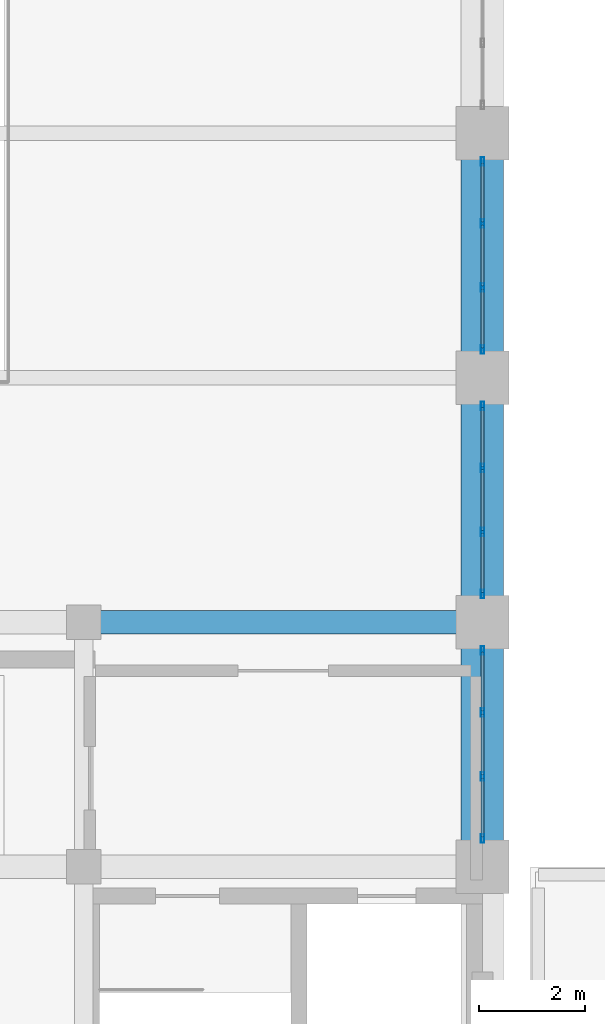
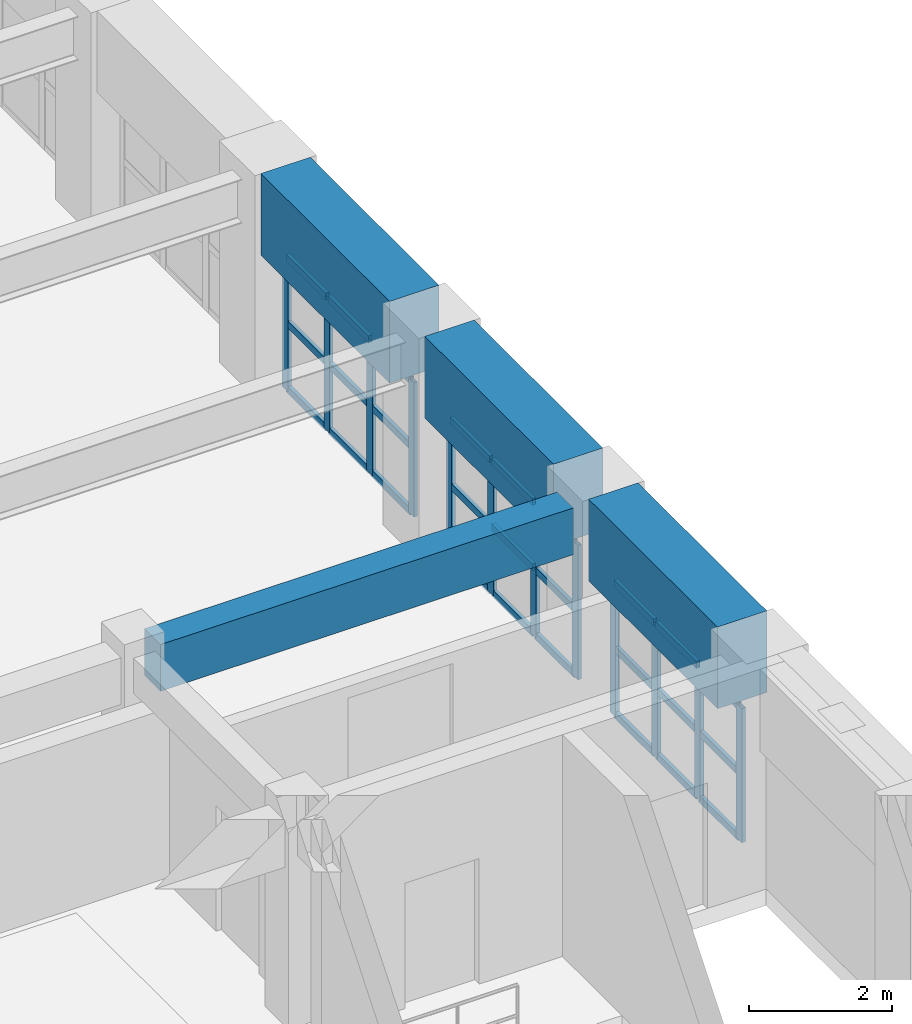
# One storey, part 27 of 74: 39 members, 4 beams, 3 elements without a shape of their own.
"""IFC4 building model written with IfcOpenShell, lengths in metres."""

from ifc_helpers import new_model, si_unit, direction, frame, origin, origin_2d, place, context, subcontext, project, spatial, rectangle, hollow_rectangle, extrude, material, layer, layer_set, material_profile, profile_set, type_object, element, aggregate, save


model = new_model("IFC4")

# Units and contexts
model_context = context("Model", 3, precision=1e-05, world=origin(), true_north=direction((0.0, 1.0)))
body_context = subcontext(model_context, "Body", "Model", "MODEL_VIEW")
ifc_project = project(units=[si_unit("LENGTHUNIT", "METRE"), si_unit("AREAUNIT", "SQUARE_METRE"), si_unit("VOLUMEUNIT", "CUBIC_METRE"), si_unit("PLANEANGLEUNIT", "RADIAN"), si_unit("MASSUNIT", "GRAM", prefix="KILO")], contexts=[model_context])

# Site, building, storey
site_placement = place(None, origin())
site = spatial("IfcSite", under=ifc_project, at=site_placement, CompositionType="ELEMENT")
building_placement = place(site_placement, origin())
building = spatial("IfcBuilding", under=site, at=building_placement, Name="Muzn Square Opera House", CompositionType="ELEMENT")
storey_placement = place(building_placement, frame((0.0, 0.0, 14.199951171875)))
storey = spatial("IfcBuildingStorey", under=building, at=storey_placement, Name="L03", CompositionType="ELEMENT", Elevation=14.199951171875)

# Curtain wall, members
ifc_material_1 = material(Name="Low-E laminated acoustic double glazing", Category="glass")
ifc_layer = layer(ifc_material_1, 0.159912109375, Name="Low-E laminated acoustic double glazing", Category="glass")
ifc_layer_set = layer_set([ifc_layer], Name="Low-E laminated acoustic double glazing")
curtain_wall_type = type_object("IfcCurtainWallType", Name="Glazed Curtain Wall EastVaultCourt 3600x2300", PredefinedType="USERDEFINED", material=ifc_layer_set)
curtain_wall_1_placement = place(storey_placement, origin())
curtain_wall_1 = element("IfcCurtainWall", 1, at=curtain_wall_1_placement, inside=storey, type_object=curtain_wall_type, Name="Glazed Curtain Wall CW-L03-060", ObjectType="GLAZED CURTAIN WALL", PredefinedType="USERDEFINED")
ifc_material_2 = material(Name="Anodised bronze aluminium 6063-T6", Category="metal")
ifc_material_profile_1 = material_profile(ifc_material_2, hollow_rectangle(XDim=0.06005859375, YDim=0.159912109375, WallThickness=0.00390625, at=origin_2d()), Name="ALU 160x60x4", Category="metal")
ifc_profile_set_1 = profile_set([ifc_material_profile_1], Name="Anodised bronze aluminium 6063-T6")
member_type_1 = type_object("IfcMemberType", Name="Curtain Wall Mullion 160x60", PredefinedType="MULLION", material=ifc_profile_set_1)
member_1_placement = place(storey_placement, frame((133.0, 31.72998046875, 0.0), z_axis=(0.0, 0.0, 1.0), x_axis=(-1.0, 0.0, 0.0)))
member_1 = element("IfcMember", 2, at=member_1_placement, type_object=member_type_1, Name="CW-EVC-36x23 mullion 1", PredefinedType="MULLION", context=body_context, shape_type="SweptSolid", body=[
    extrude(hollow_rectangle(XDim=0.06005859375, YDim=0.159912109375, WallThickness=0.00390625, at=origin_2d()), origin(), (0.0, 0.0, 1.0), 2.300048828125),
])
member_2_placement = place(storey_placement, frame((133.0, 32.89990234375, 0.0), z_axis=(0.0, 0.0, 1.0), x_axis=(-1.0, 0.0, 0.0)))
member_2 = element("IfcMember", 3, at=member_2_placement, type_object=member_type_1, Name="CW-EVC-36x23 mullion 2", PredefinedType="MULLION", context=body_context, shape_type="SweptSolid", body=[
    extrude(hollow_rectangle(XDim=0.06005859375, YDim=0.159912109375, WallThickness=0.00390625, at=origin_2d()), origin(), (0.0, 0.0, 1.0), 2.300048828125),
])
member_3_placement = place(storey_placement, frame((133.0, 34.10009765625, 0.0), z_axis=(0.0, 0.0, 1.0), x_axis=(-1.0, 0.0, 0.0)))
member_3 = element("IfcMember", 4, at=member_3_placement, type_object=member_type_1, Name="CW-EVC-36x23 mullion 3", PredefinedType="MULLION", context=body_context, shape_type="SweptSolid", body=[
    extrude(hollow_rectangle(XDim=0.06005859375, YDim=0.159912109375, WallThickness=0.00390625, at=origin_2d()), origin(), (0.0, 0.0, 1.0), 2.300048828125),
])
member_4_placement = place(storey_placement, frame((133.0, 35.27001953125, 0.0), z_axis=(0.0, 0.0, 1.0), x_axis=(-1.0, 0.0, 0.0)))
member_4 = element("IfcMember", 5, at=member_4_placement, type_object=member_type_1, Name="CW-EVC-36x23 mullion 4", PredefinedType="MULLION", context=body_context, shape_type="SweptSolid", body=[
    extrude(hollow_rectangle(XDim=0.06005859375, YDim=0.159912109375, WallThickness=0.00390625, at=origin_2d()), origin(), (0.0, 0.0, 1.0), 2.300048828125),
])

curtain_wall_2_placement = place(storey_placement, origin())
curtain_wall_2 = element("IfcCurtainWall", 6, at=curtain_wall_2_placement, inside=storey, type_object=curtain_wall_type, Name="Glazed Curtain Wall CW-L03-062", ObjectType="GLAZED CURTAIN WALL", PredefinedType="USERDEFINED")
member_5_placement = place(storey_placement, frame((133.0, 36.330078125, 0.0), z_axis=(0.0, 0.0, 1.0), x_axis=(-1.0, 0.0, 0.0)))
member_5 = element("IfcMember", 7, at=member_5_placement, type_object=member_type_1, Name="CW-EVC-36x23 mullion 1", PredefinedType="MULLION", context=body_context, shape_type="SweptSolid", body=[
    extrude(hollow_rectangle(XDim=0.06005859375, YDim=0.159912109375, WallThickness=0.00390625, at=origin_2d()), origin(), (0.0, 0.0, 1.0), 2.300048828125),
])
member_6_placement = place(storey_placement, frame((133.0, 37.5, 0.0), z_axis=(0.0, 0.0, 1.0), x_axis=(-1.0, 0.0, 0.0)))
member_6 = element("IfcMember", 8, at=member_6_placement, type_object=member_type_1, Name="CW-EVC-36x23 mullion 2", PredefinedType="MULLION", context=body_context, shape_type="SweptSolid", body=[
    extrude(hollow_rectangle(XDim=0.06005859375, YDim=0.159912109375, WallThickness=0.00390625, at=origin_2d()), origin(), (0.0, 0.0, 1.0), 2.300048828125),
])
member_7_placement = place(storey_placement, frame((133.0, 38.699951171875, 0.0), z_axis=(0.0, 0.0, 1.0), x_axis=(-1.0, 0.0, 0.0)))
member_7 = element("IfcMember", 9, at=member_7_placement, type_object=member_type_1, Name="CW-EVC-36x23 mullion 3", PredefinedType="MULLION", context=body_context, shape_type="SweptSolid", body=[
    extrude(hollow_rectangle(XDim=0.06005859375, YDim=0.159912109375, WallThickness=0.00390625, at=origin_2d()), origin(), (0.0, 0.0, 1.0), 2.300048828125),
])
member_8_placement = place(storey_placement, frame((133.0, 39.8701171875, 0.0), z_axis=(0.0, 0.0, 1.0), x_axis=(-1.0, 0.0, 0.0)))
member_8 = element("IfcMember", 10, at=member_8_placement, type_object=member_type_1, Name="CW-EVC-36x23 mullion 4", PredefinedType="MULLION", context=body_context, shape_type="SweptSolid", body=[
    extrude(hollow_rectangle(XDim=0.06005859375, YDim=0.159912109375, WallThickness=0.00390625, at=origin_2d()), origin(), (0.0, 0.0, 1.0), 2.300048828125),
])

curtain_wall_3_placement = place(storey_placement, origin())
curtain_wall_3 = element("IfcCurtainWall", 11, at=curtain_wall_3_placement, inside=storey, type_object=curtain_wall_type, Name="Glazed Curtain Wall CW-L03-064", ObjectType="GLAZED CURTAIN WALL", PredefinedType="USERDEFINED")
member_9_placement = place(storey_placement, frame((133.0, 40.929931640625, 0.0), z_axis=(0.0, 0.0, 1.0), x_axis=(-1.0, 0.0, 0.0)))
member_9 = element("IfcMember", 12, at=member_9_placement, type_object=member_type_1, Name="CW-EVC-36x23 mullion 1", PredefinedType="MULLION", context=body_context, shape_type="SweptSolid", body=[
    extrude(hollow_rectangle(XDim=0.06005859375, YDim=0.159912109375, WallThickness=0.00390625, at=origin_2d()), origin(), (0.0, 0.0, 1.0), 2.300048828125),
])
member_10_placement = place(storey_placement, frame((133.0, 42.10009765625, 0.0), z_axis=(0.0, 0.0, 1.0), x_axis=(-1.0, 0.0, 0.0)))
member_10 = element("IfcMember", 13, at=member_10_placement, type_object=member_type_1, Name="CW-EVC-36x23 mullion 2", PredefinedType="MULLION", context=body_context, shape_type="SweptSolid", body=[
    extrude(hollow_rectangle(XDim=0.06005859375, YDim=0.159912109375, WallThickness=0.00390625, at=origin_2d()), origin(), (0.0, 0.0, 1.0), 2.300048828125),
])
member_11_placement = place(storey_placement, frame((133.0, 43.300048828125, 0.0), z_axis=(0.0, 0.0, 1.0), x_axis=(-1.0, 0.0, 0.0)))
member_11 = element("IfcMember", 14, at=member_11_placement, type_object=member_type_1, Name="CW-EVC-36x23 mullion 3", PredefinedType="MULLION", context=body_context, shape_type="SweptSolid", body=[
    extrude(hollow_rectangle(XDim=0.06005859375, YDim=0.159912109375, WallThickness=0.00390625, at=origin_2d()), origin(), (0.0, 0.0, 1.0), 2.300048828125),
])
member_12_placement = place(storey_placement, frame((133.0, 44.469970703125, 0.0), z_axis=(0.0, 0.0, 1.0), x_axis=(-1.0, 0.0, 0.0)))
member_12 = element("IfcMember", 15, at=member_12_placement, type_object=member_type_1, Name="CW-EVC-36x23 mullion 4", PredefinedType="MULLION", context=body_context, shape_type="SweptSolid", body=[
    extrude(hollow_rectangle(XDim=0.06005859375, YDim=0.159912109375, WallThickness=0.00390625, at=origin_2d()), origin(), (0.0, 0.0, 1.0), 2.300048828125),
])

# Member
ifc_material_profile_2 = material_profile(ifc_material_2, hollow_rectangle(XDim=0.06005859375, YDim=0.1201171875, WallThickness=0.00390625, at=origin_2d()), Name="ALU 120x60x4", Category="metal")
ifc_profile_set_2 = profile_set([ifc_material_profile_2], Name="Anodised bronze aluminium 6063-T6")
member_type_2 = type_object("IfcMemberType", Name="Curtain Wall Transom 120x60", PredefinedType="USERDEFINED", material=ifc_profile_set_2)
member_13_placement = place(storey_placement, frame((133.0, 31.760009765625, 0.030029296875), z_axis=(0.0, 1.0, 0.0), x_axis=(-1.0, 0.0, 0.0)))
member_13 = element("IfcMember", 16, at=member_13_placement, type_object=member_type_2, Name="CW-EVC-36x23 transom 1.1", ObjectType="TRANSOM", PredefinedType="USERDEFINED", context=body_context, shape_type="SweptSolid", body=[
    extrude(hollow_rectangle(XDim=0.06005859375, YDim=0.1201171875, WallThickness=0.00390625, at=origin_2d()), origin(), (0.0, 0.0, 1.0), 1.110107421875),
])

member_14_placement = place(storey_placement, frame((133.0, 31.760009765625, 1.150146484375), z_axis=(0.0, 1.0, 0.0), x_axis=(-1.0, 0.0, 0.0)))
member_14 = element("IfcMember", 17, at=member_14_placement, type_object=member_type_2, Name="CW-EVC-36x23 transom 1.2", ObjectType="TRANSOM", PredefinedType="USERDEFINED", context=body_context, shape_type="SweptSolid", body=[
    extrude(hollow_rectangle(XDim=0.06005859375, YDim=0.1201171875, WallThickness=0.00390625, at=origin_2d()), origin(), (0.0, 0.0, 1.0), 1.110107421875),
])

member_15_placement = place(storey_placement, frame((133.0, 31.760009765625, 2.27001953125), z_axis=(0.0, 1.0, 0.0), x_axis=(-1.0, 0.0, 0.0)))
member_15 = element("IfcMember", 18, at=member_15_placement, type_object=member_type_2, Name="CW-EVC-36x23 transom 1.3", ObjectType="TRANSOM", PredefinedType="USERDEFINED", context=body_context, shape_type="SweptSolid", body=[
    extrude(hollow_rectangle(XDim=0.06005859375, YDim=0.1201171875, WallThickness=0.00390625, at=origin_2d()), origin(), (0.0, 0.0, 1.0), 1.110107421875),
])

member_16_placement = place(storey_placement, frame((133.0, 32.929931640625, 0.030029296875), z_axis=(0.0, 1.0, 0.0), x_axis=(-1.0, 0.0, 0.0)))
member_16 = element("IfcMember", 19, at=member_16_placement, type_object=member_type_2, Name="CW-EVC-36x23 transom 2.1", ObjectType="TRANSOM", PredefinedType="USERDEFINED", context=body_context, shape_type="SweptSolid", body=[
    extrude(hollow_rectangle(XDim=0.06005859375, YDim=0.1201171875, WallThickness=0.00390625, at=origin_2d()), origin(), (0.0, 0.0, 1.0), 1.14013671875),
])

member_17_placement = place(storey_placement, frame((133.0, 32.929931640625, 1.150146484375), z_axis=(0.0, 1.0, 0.0), x_axis=(-1.0, 0.0, 0.0)))
member_17 = element("IfcMember", 20, at=member_17_placement, type_object=member_type_2, Name="CW-EVC-36x23 transom 2.2", ObjectType="TRANSOM", PredefinedType="USERDEFINED", context=body_context, shape_type="SweptSolid", body=[
    extrude(hollow_rectangle(XDim=0.06005859375, YDim=0.1201171875, WallThickness=0.00390625, at=origin_2d()), origin(), (0.0, 0.0, 1.0), 1.14013671875),
])

member_18_placement = place(storey_placement, frame((133.0, 32.929931640625, 2.27001953125), z_axis=(0.0, 1.0, 0.0), x_axis=(-1.0, 0.0, 0.0)))
member_18 = element("IfcMember", 21, at=member_18_placement, type_object=member_type_2, Name="CW-EVC-36x23 transom 2.3", ObjectType="TRANSOM", PredefinedType="USERDEFINED", context=body_context, shape_type="SweptSolid", body=[
    extrude(hollow_rectangle(XDim=0.06005859375, YDim=0.1201171875, WallThickness=0.00390625, at=origin_2d()), origin(), (0.0, 0.0, 1.0), 1.14013671875),
])

member_19_placement = place(storey_placement, frame((133.0, 34.1298828125, 0.030029296875), z_axis=(0.0, 1.0, 0.0), x_axis=(-1.0, 0.0, 0.0)))
member_19 = element("IfcMember", 22, at=member_19_placement, type_object=member_type_2, Name="CW-EVC-36x23 transom 3.1", ObjectType="TRANSOM", PredefinedType="USERDEFINED", context=body_context, shape_type="SweptSolid", body=[
    extrude(hollow_rectangle(XDim=0.06005859375, YDim=0.1201171875, WallThickness=0.00390625, at=origin_2d()), origin(), (0.0, 0.0, 1.0), 1.110107421875),
])

member_20_placement = place(storey_placement, frame((133.0, 34.1298828125, 1.150146484375), z_axis=(0.0, 1.0, 0.0), x_axis=(-1.0, 0.0, 0.0)))
member_20 = element("IfcMember", 23, at=member_20_placement, type_object=member_type_2, Name="CW-EVC-36x23 transom 3.2", ObjectType="TRANSOM", PredefinedType="USERDEFINED", context=body_context, shape_type="SweptSolid", body=[
    extrude(hollow_rectangle(XDim=0.06005859375, YDim=0.1201171875, WallThickness=0.00390625, at=origin_2d()), origin(), (0.0, 0.0, 1.0), 1.110107421875),
])

member_21_placement = place(storey_placement, frame((133.0, 34.1298828125, 2.27001953125), z_axis=(0.0, 1.0, 0.0), x_axis=(-1.0, 0.0, 0.0)))
member_21 = element("IfcMember", 24, at=member_21_placement, type_object=member_type_2, Name="CW-EVC-36x23 transom 3.3", ObjectType="TRANSOM", PredefinedType="USERDEFINED", context=body_context, shape_type="SweptSolid", body=[
    extrude(hollow_rectangle(XDim=0.06005859375, YDim=0.1201171875, WallThickness=0.00390625, at=origin_2d()), origin(), (0.0, 0.0, 1.0), 1.110107421875),
])

aggregate(curtain_wall_1, [member_1, member_2, member_3, member_4, member_13, member_14, member_15, member_16, member_17, member_18, member_19, member_20, member_21])

member_22_placement = place(storey_placement, frame((133.0, 36.360107421875, 0.030029296875), z_axis=(0.0, 1.0, 0.0), x_axis=(-1.0, 0.0, 0.0)))
member_22 = element("IfcMember", 25, at=member_22_placement, type_object=member_type_2, Name="CW-EVC-36x23 transom 1.1", ObjectType="TRANSOM", PredefinedType="USERDEFINED", context=body_context, shape_type="SweptSolid", body=[
    extrude(hollow_rectangle(XDim=0.06005859375, YDim=0.1201171875, WallThickness=0.00390625, at=origin_2d()), origin(), (0.0, 0.0, 1.0), 1.10986328125),
])

member_23_placement = place(storey_placement, frame((133.0, 36.360107421875, 1.150146484375), z_axis=(0.0, 1.0, 0.0), x_axis=(-1.0, 0.0, 0.0)))
member_23 = element("IfcMember", 26, at=member_23_placement, type_object=member_type_2, Name="CW-EVC-36x23 transom 1.2", ObjectType="TRANSOM", PredefinedType="USERDEFINED", context=body_context, shape_type="SweptSolid", body=[
    extrude(hollow_rectangle(XDim=0.06005859375, YDim=0.1201171875, WallThickness=0.00390625, at=origin_2d()), origin(), (0.0, 0.0, 1.0), 1.10986328125),
])

member_24_placement = place(storey_placement, frame((133.0, 36.360107421875, 2.27001953125), z_axis=(0.0, 1.0, 0.0), x_axis=(-1.0, 0.0, 0.0)))
member_24 = element("IfcMember", 27, at=member_24_placement, type_object=member_type_2, Name="CW-EVC-36x23 transom 1.3", ObjectType="TRANSOM", PredefinedType="USERDEFINED", context=body_context, shape_type="SweptSolid", body=[
    extrude(hollow_rectangle(XDim=0.06005859375, YDim=0.1201171875, WallThickness=0.00390625, at=origin_2d()), origin(), (0.0, 0.0, 1.0), 1.10986328125),
])

member_25_placement = place(storey_placement, frame((133.0, 37.530029296875, 0.030029296875), z_axis=(0.0, 1.0, 0.0), x_axis=(-1.0, 0.0, 0.0)))
member_25 = element("IfcMember", 28, at=member_25_placement, type_object=member_type_2, Name="CW-EVC-36x23 transom 2.1", ObjectType="TRANSOM", PredefinedType="USERDEFINED", context=body_context, shape_type="SweptSolid", body=[
    extrude(hollow_rectangle(XDim=0.06005859375, YDim=0.1201171875, WallThickness=0.00390625, at=origin_2d()), origin(), (0.0, 0.0, 1.0), 1.139892578125),
])

member_26_placement = place(storey_placement, frame((133.0, 37.530029296875, 1.150146484375), z_axis=(0.0, 1.0, 0.0), x_axis=(-1.0, 0.0, 0.0)))
member_26 = element("IfcMember", 29, at=member_26_placement, type_object=member_type_2, Name="CW-EVC-36x23 transom 2.2", ObjectType="TRANSOM", PredefinedType="USERDEFINED", context=body_context, shape_type="SweptSolid", body=[
    extrude(hollow_rectangle(XDim=0.06005859375, YDim=0.1201171875, WallThickness=0.00390625, at=origin_2d()), origin(), (0.0, 0.0, 1.0), 1.139892578125),
])

member_27_placement = place(storey_placement, frame((133.0, 37.530029296875, 2.27001953125), z_axis=(0.0, 1.0, 0.0), x_axis=(-1.0, 0.0, 0.0)))
member_27 = element("IfcMember", 30, at=member_27_placement, type_object=member_type_2, Name="CW-EVC-36x23 transom 2.3", ObjectType="TRANSOM", PredefinedType="USERDEFINED", context=body_context, shape_type="SweptSolid", body=[
    extrude(hollow_rectangle(XDim=0.06005859375, YDim=0.1201171875, WallThickness=0.00390625, at=origin_2d()), origin(), (0.0, 0.0, 1.0), 1.139892578125),
])

member_28_placement = place(storey_placement, frame((133.0, 38.72998046875, 0.030029296875), z_axis=(0.0, 1.0, 0.0), x_axis=(-1.0, 0.0, 0.0)))
member_28 = element("IfcMember", 31, at=member_28_placement, type_object=member_type_2, Name="CW-EVC-36x23 transom 3.1", ObjectType="TRANSOM", PredefinedType="USERDEFINED", context=body_context, shape_type="SweptSolid", body=[
    extrude(hollow_rectangle(XDim=0.06005859375, YDim=0.1201171875, WallThickness=0.00390625, at=origin_2d()), origin(), (0.0, 0.0, 1.0), 1.110107421875),
])

member_29_placement = place(storey_placement, frame((133.0, 38.72998046875, 1.150146484375), z_axis=(0.0, 1.0, 0.0), x_axis=(-1.0, 0.0, 0.0)))
member_29 = element("IfcMember", 32, at=member_29_placement, type_object=member_type_2, Name="CW-EVC-36x23 transom 3.2", ObjectType="TRANSOM", PredefinedType="USERDEFINED", context=body_context, shape_type="SweptSolid", body=[
    extrude(hollow_rectangle(XDim=0.06005859375, YDim=0.1201171875, WallThickness=0.00390625, at=origin_2d()), origin(), (0.0, 0.0, 1.0), 1.110107421875),
])

member_30_placement = place(storey_placement, frame((133.0, 38.72998046875, 2.27001953125), z_axis=(0.0, 1.0, 0.0), x_axis=(-1.0, 0.0, 0.0)))
member_30 = element("IfcMember", 33, at=member_30_placement, type_object=member_type_2, Name="CW-EVC-36x23 transom 3.3", ObjectType="TRANSOM", PredefinedType="USERDEFINED", context=body_context, shape_type="SweptSolid", body=[
    extrude(hollow_rectangle(XDim=0.06005859375, YDim=0.1201171875, WallThickness=0.00390625, at=origin_2d()), origin(), (0.0, 0.0, 1.0), 1.110107421875),
])

aggregate(curtain_wall_2, [member_5, member_6, member_7, member_8, member_22, member_23, member_24, member_25, member_26, member_27, member_28, member_29, member_30])

member_31_placement = place(storey_placement, frame((133.0, 40.9599609375, 0.030029296875), z_axis=(0.0, 1.0, 0.0), x_axis=(-1.0, 0.0, 0.0)))
member_31 = element("IfcMember", 34, at=member_31_placement, type_object=member_type_2, Name="CW-EVC-36x23 transom 1.1", ObjectType="TRANSOM", PredefinedType="USERDEFINED", context=body_context, shape_type="SweptSolid", body=[
    extrude(hollow_rectangle(XDim=0.06005859375, YDim=0.1201171875, WallThickness=0.00390625, at=origin_2d()), origin(), (0.0, 0.0, 1.0), 1.110107421875),
])

member_32_placement = place(storey_placement, frame((133.0, 40.9599609375, 1.150146484375), z_axis=(0.0, 1.0, 0.0), x_axis=(-1.0, 0.0, 0.0)))
member_32 = element("IfcMember", 35, at=member_32_placement, type_object=member_type_2, Name="CW-EVC-36x23 transom 1.2", ObjectType="TRANSOM", PredefinedType="USERDEFINED", context=body_context, shape_type="SweptSolid", body=[
    extrude(hollow_rectangle(XDim=0.06005859375, YDim=0.1201171875, WallThickness=0.00390625, at=origin_2d()), origin(), (0.0, 0.0, 1.0), 1.110107421875),
])

member_33_placement = place(storey_placement, frame((133.0, 40.9599609375, 2.27001953125), z_axis=(0.0, 1.0, 0.0), x_axis=(-1.0, 0.0, 0.0)))
member_33 = element("IfcMember", 36, at=member_33_placement, type_object=member_type_2, Name="CW-EVC-36x23 transom 1.3", ObjectType="TRANSOM", PredefinedType="USERDEFINED", context=body_context, shape_type="SweptSolid", body=[
    extrude(hollow_rectangle(XDim=0.06005859375, YDim=0.1201171875, WallThickness=0.00390625, at=origin_2d()), origin(), (0.0, 0.0, 1.0), 1.110107421875),
])

member_34_placement = place(storey_placement, frame((133.0, 42.1298828125, 0.030029296875), z_axis=(0.0, 1.0, 0.0), x_axis=(-1.0, 0.0, 0.0)))
member_34 = element("IfcMember", 37, at=member_34_placement, type_object=member_type_2, Name="CW-EVC-36x23 transom 2.1", ObjectType="TRANSOM", PredefinedType="USERDEFINED", context=body_context, shape_type="SweptSolid", body=[
    extrude(hollow_rectangle(XDim=0.06005859375, YDim=0.1201171875, WallThickness=0.00390625, at=origin_2d()), origin(), (0.0, 0.0, 1.0), 1.14013671875),
])

member_35_placement = place(storey_placement, frame((133.0, 42.1298828125, 1.150146484375), z_axis=(0.0, 1.0, 0.0), x_axis=(-1.0, 0.0, 0.0)))
member_35 = element("IfcMember", 38, at=member_35_placement, type_object=member_type_2, Name="CW-EVC-36x23 transom 2.2", ObjectType="TRANSOM", PredefinedType="USERDEFINED", context=body_context, shape_type="SweptSolid", body=[
    extrude(hollow_rectangle(XDim=0.06005859375, YDim=0.1201171875, WallThickness=0.00390625, at=origin_2d()), origin(), (0.0, 0.0, 1.0), 1.14013671875),
])

member_36_placement = place(storey_placement, frame((133.0, 42.1298828125, 2.27001953125), z_axis=(0.0, 1.0, 0.0), x_axis=(-1.0, 0.0, 0.0)))
member_36 = element("IfcMember", 39, at=member_36_placement, type_object=member_type_2, Name="CW-EVC-36x23 transom 2.3", ObjectType="TRANSOM", PredefinedType="USERDEFINED", context=body_context, shape_type="SweptSolid", body=[
    extrude(hollow_rectangle(XDim=0.06005859375, YDim=0.1201171875, WallThickness=0.00390625, at=origin_2d()), origin(), (0.0, 0.0, 1.0), 1.14013671875),
])

member_37_placement = place(storey_placement, frame((133.0, 43.330078125, 0.030029296875), z_axis=(0.0, 1.0, 0.0), x_axis=(-1.0, 0.0, 0.0)))
member_37 = element("IfcMember", 40, at=member_37_placement, type_object=member_type_2, Name="CW-EVC-36x23 transom 3.1", ObjectType="TRANSOM", PredefinedType="USERDEFINED", context=body_context, shape_type="SweptSolid", body=[
    extrude(hollow_rectangle(XDim=0.06005859375, YDim=0.1201171875, WallThickness=0.00390625, at=origin_2d()), origin(), (0.0, 0.0, 1.0), 1.10986328125),
])

member_38_placement = place(storey_placement, frame((133.0, 43.330078125, 1.150146484375), z_axis=(0.0, 1.0, 0.0), x_axis=(-1.0, 0.0, 0.0)))
member_38 = element("IfcMember", 41, at=member_38_placement, type_object=member_type_2, Name="CW-EVC-36x23 transom 3.2", ObjectType="TRANSOM", PredefinedType="USERDEFINED", context=body_context, shape_type="SweptSolid", body=[
    extrude(hollow_rectangle(XDim=0.06005859375, YDim=0.1201171875, WallThickness=0.00390625, at=origin_2d()), origin(), (0.0, 0.0, 1.0), 1.10986328125),
])

member_39_placement = place(storey_placement, frame((133.0, 43.330078125, 2.27001953125), z_axis=(0.0, 1.0, 0.0), x_axis=(-1.0, 0.0, 0.0)))
member_39 = element("IfcMember", 42, at=member_39_placement, type_object=member_type_2, Name="CW-EVC-36x23 transom 3.3", ObjectType="TRANSOM", PredefinedType="USERDEFINED", context=body_context, shape_type="SweptSolid", body=[
    extrude(hollow_rectangle(XDim=0.06005859375, YDim=0.1201171875, WallThickness=0.00390625, at=origin_2d()), origin(), (0.0, 0.0, 1.0), 1.10986328125),
])

aggregate(curtain_wall_3, [member_9, member_10, member_11, member_12, member_31, member_32, member_33, member_34, member_35, member_36, member_37, member_38, member_39])

# Beams
ifc_material_3 = material(Name="Concrete C40/50", Category="concrete")
ifc_material_profile_3 = material_profile(ifc_material_3, rectangle(XDim=0.449951171875, YDim=0.800048828125, at=origin_2d()), Name="RCB 450x800", Category="concrete")
ifc_profile_set_3 = profile_set([ifc_material_profile_3], Name="Concrete C40/50")
beam_type_1 = type_object("IfcBeamType", Name="Primary Girder 450x800", PredefinedType="BEAM", material=ifc_profile_set_3)
beam_1_placement = place(storey_placement, frame((125.81689453125, 35.800048828125, 3.1201171875), z_axis=(1.0, 0.0, 0.0), x_axis=(0.0, 1.0, 0.0)))
element("IfcBeam", 43, at=beam_1_placement, inside=storey, type_object=beam_type_1, Name="Primary Girder BM-L03-BM-PG800-1258_358_1325_358-2441", PredefinedType="BEAM", context=body_context, shape_type="SweptSolid", body=[
    extrude(rectangle(XDim=0.449951171875, YDim=0.800048828125, at=origin_2d()), origin(), (0.0, 0.0, 1.0), 6.691162109375),
])
ifc_material_4 = material(Name="Concrete C45/55", Category="concrete")
ifc_material_profile_4 = material_profile(ifc_material_4, rectangle(XDim=0.800048828125, YDim=1.39990234375, at=origin_2d()), Name="RCB 800x1400", Category="concrete")
ifc_profile_set_4 = profile_set([ifc_material_profile_4], Name="Concrete C45/55")
beam_type_2 = type_object("IfcBeamType", Name="Vault Springing Girder 800x1400", PredefinedType="BEAM", material=ifc_profile_set_4)
beam_2_placement = place(storey_placement, frame((133.0, 31.69189453125, 3.10009765625), z_axis=(0.0, 1.0, 0.0), x_axis=(-1.0, 0.0, 0.0)))
element("IfcBeam", 44, at=beam_2_placement, inside=storey, type_object=beam_type_2, Name="Vault Springing Girder BM-L03-BM-VS1400-1330_317_1330_353-2615", PredefinedType="BEAM", context=body_context, shape_type="SweptSolid", body=[
    extrude(rectangle(XDim=0.800048828125, YDim=1.39990234375, at=origin_2d()), origin(), (0.0, 0.0, 1.0), 3.6162109375),
])
for number, where, z_axis, x_axis, name in (
    (45, (133.0, 36.2919921875, 3.10009765625), (0.0, 1.0, 0.0), (-1.0, 0.0, 0.0), "Vault Springing Girder BM-L03-BM-VS1400-1330_363_1330_399-2616"),
    (46, (133.0, 40.89208984375, 3.10009765625), (0.0, 1.0, 0.0), (-1.0, 0.0, 0.0), "Vault Springing Girder BM-L03-BM-VS1400-1330_409_1330_445-2617"),
):
    element("IfcBeam", number, at=place(storey_placement, frame(where, z_axis=z_axis, x_axis=x_axis)), inside=storey, type_object=beam_type_2, Name=name, PredefinedType="BEAM", context=body_context, shape_type="SweptSolid", body=[
        extrude(rectangle(XDim=0.800048828125, YDim=1.39990234375, at=origin_2d()), origin(), (0.0, 0.0, 1.0), 3.615966796875),
    ])

save(model, "model.ifc")
